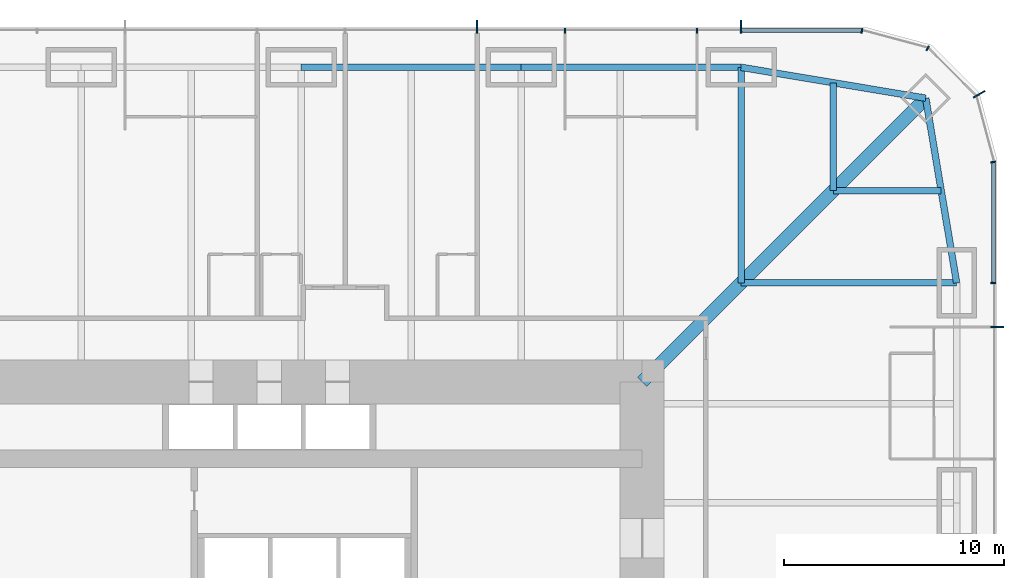
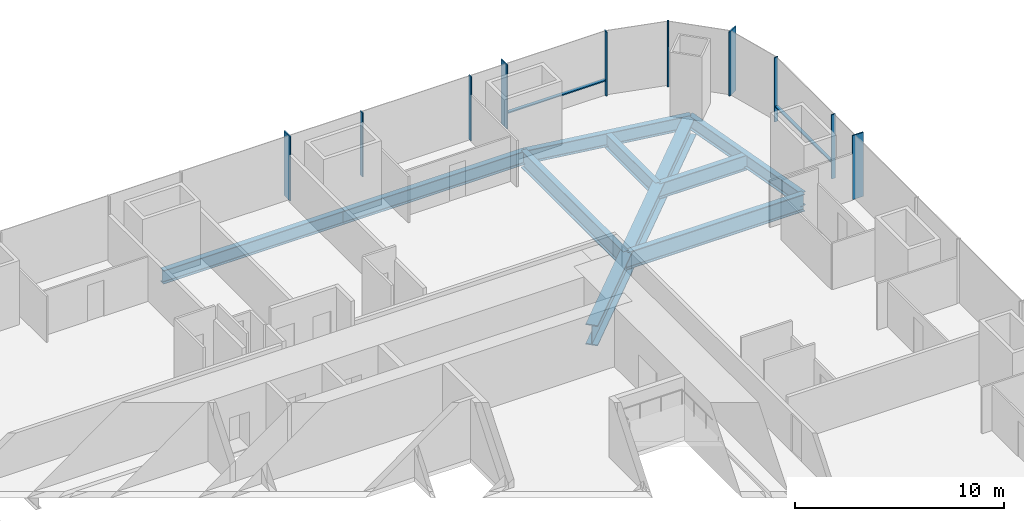
# One storey, part 9 of 17: 12 members, 9 beams, 3 elements without a shape of their own.
"""IFC4 building model written with IfcOpenShell, lengths in metres."""

from ifc_helpers import new_model, si_unit, direction, frame, origin, origin_2d, place, context, subcontext, project, spatial, rectangle, i_section, extrude, material, material_profile, profile_set, type_object, element, aggregate, save


model = new_model("IFC4")

# Units and contexts
model_context = context("Model", 3, precision=1e-05, world=origin(), true_north=direction((0.0, 1.0)))
body_context = subcontext(model_context, "Body", "Model", "MODEL_VIEW")
ifc_project = project(units=[si_unit("LENGTHUNIT", "METRE"), si_unit("AREAUNIT", "SQUARE_METRE"), si_unit("VOLUMEUNIT", "CUBIC_METRE"), si_unit("PLANEANGLEUNIT", "RADIAN"), si_unit("MASSUNIT", "GRAM", prefix="KILO")], contexts=[model_context])

# Site, building, storey
site_placement = place(None, origin())
site = spatial("IfcSite", under=ifc_project, at=site_placement, CompositionType="ELEMENT")
building_placement = place(site_placement, origin())
building = spatial("IfcBuilding", under=site, at=building_placement, Name="Khuree Lantern Residences", CompositionType="ELEMENT")
storey_placement = place(building_placement, frame((0.0, 0.0, 51.0)))
storey = spatial("IfcBuildingStorey", under=building, at=storey_placement, Name="L12", CompositionType="ELEMENT", Elevation=51.0)

# Beams
ifc_material_1 = material(Name="Steel S355", Category="steel")
ifc_material_profile_1 = material_profile(ifc_material_1, i_section(OverallWidth=0.300048828125, OverallDepth=0.889892578125, WebThickness=0.01611328125, FlangeThickness=0.030029296875, FilletRadius=0.030029296875, at=origin_2d()), Name="HE 900 A")
ifc_profile_set_1 = profile_set([ifc_material_profile_1], Name="Steel S355")
beam_type_1 = type_object("IfcBeamType", Name="B-13 SECONDARY BEAM HE 900 A", PredefinedType="BEAM", material=ifc_profile_set_1)
for number, where, z_axis, x_axis, name in (
    (1, (24.197021484375, 29.09716796875, -0.695068359375), (0.0, -1.0, 0.0), (1.0, 0.0, 0.0), "Secondary beam N5"),
    (2, (29.09716796875, 24.197021484375, -0.695068359375), (-1.0, 0.0, 0.0), (0.0, -1.0, 0.0), "Secondary beam E1"),
):
    element("IfcBeam", number, at=place(storey_placement, frame(where, z_axis=z_axis, x_axis=x_axis)), inside=storey, type_object=beam_type_1, Name=name, PredefinedType="BEAM", context=body_context, shape_type="SweptSolid", body=[
        extrude(i_section(OverallWidth=0.300048828125, OverallDepth=0.889892578125, WebThickness=0.01611328125, FlangeThickness=0.030029296875, FilletRadius=0.030029296875, at=origin_2d()), origin(), (0.0, 0.0, 1.0), 4.900146484375),
    ])
ifc_material_profile_2 = material_profile(ifc_material_1, i_section(OverallWidth=0.300048828125, OverallDepth=0.7900390625, WebThickness=0.014892578125, FlangeThickness=0.028076171875, FilletRadius=0.030029296875, at=origin_2d()), Name="HE 800 A")
ifc_profile_set_2 = profile_set([ifc_material_profile_2], Name="Steel S355")
beam_type_2 = type_object("IfcBeamType", Name="E-13 SPANDREL BEAM HE 800 A", PredefinedType="SPANDREL", material=ifc_profile_set_2)
for number, where, z_axis, x_axis, name in (
    (3, (0.0, 29.800048828125, -0.64501953125), (1.0, 0.0, 0.0), (0.0, 1.0, 0.0), "Spandrel beam N3"),
    (4, (10.0, 29.800048828125, -0.64501953125), (1.0, 0.0, 0.0), (0.0, 1.0, 0.0), "Spandrel beam N4"),
):
    element("IfcBeam", number, at=place(storey_placement, frame(where, z_axis=z_axis, x_axis=x_axis)), inside=storey, type_object=beam_type_2, Name=name, PredefinedType="SPANDREL", context=body_context, shape_type="SweptSolid", body=[
        extrude(i_section(OverallWidth=0.300048828125, OverallDepth=0.7900390625, WebThickness=0.014892578125, FlangeThickness=0.028076171875, FilletRadius=0.030029296875, at=origin_2d()), origin(), (0.0, 0.0, 1.0), 10.0),
    ])
for number, where, z_axis, x_axis, name in (
    (5, (20.0, 29.800048828125, -0.64501953125), (0.986260251158, -0.165199022349, 0.0), (0.165199022349, 0.986260251158, 0.0), "Spandrel beam N5"),
    (6, (28.39404296875, 28.39404296875, -0.64501953125), (0.165199022349, -0.986260251158, 0.0), (0.986260251158, 0.165199022349, 0.0), "Spandrel beam E1"),
):
    element("IfcBeam", number, at=place(storey_placement, frame(where, z_axis=z_axis, x_axis=x_axis)), inside=storey, type_object=beam_type_2, Name=name, PredefinedType="SPANDREL", context=body_context, shape_type="SweptSolid", body=[
        extrude(i_section(OverallWidth=0.300048828125, OverallDepth=0.7900390625, WebThickness=0.014892578125, FlangeThickness=0.028076171875, FilletRadius=0.030029296875, at=origin_2d()), origin(), (0.0, 0.0, 1.0), 8.510986328125),
    ])

# Curtain wall, member
ifc_material_2 = material(Name="Bronze anodised aluminium", Category="aluminium")
curtain_wall_type_1 = type_object("IfcCurtainWallType", Name="CW-T1 TOWER FACE CURTAIN WALL", PredefinedType="USERDEFINED", material=ifc_material_2)
curtain_wall_1_placement = place(storey_placement, origin())
curtain_wall_1 = element("IfcCurtainWall", 7, at=curtain_wall_1_placement, inside=storey, type_object=curtain_wall_type_1, Name="L12 EAST FACE CURTAIN WALL", ObjectType="Stick-built curtain wall", PredefinedType="USERDEFINED")
ifc_material_profile_3 = material_profile(ifc_material_2, rectangle(XDim=0.06494140625, YDim=0.60009765625, at=origin_2d()), Name="F1 65X600")
ifc_profile_set_3 = profile_set([ifc_material_profile_3], Name="Bronze anodised aluminium")
member_type_1 = type_object("IfcMemberType", Name="F1 BRONZE FIN MULLION TOWER 65X600", PredefinedType="MULLION", material=ifc_profile_set_3)
member_1_placement = place(storey_placement, frame((31.64990234375, 18.0, 0.0), z_axis=(0.0, 0.0, 1.0), x_axis=(0.0, 1.0, 0.0)))
member_1 = element("IfcMember", 8, at=member_1_placement, type_object=member_type_1, Name="L12 EAST FACE FIN MULLION 13", PredefinedType="MULLION", context=body_context, shape_type="SweptSolid", body=[
    extrude(rectangle(XDim=0.06494140625, YDim=0.60009765625, at=origin_2d()), origin(), (0.0, 0.0, 1.0), 3.75),
])

curtain_wall_type_2 = type_object("IfcCurtainWallType", Name="CW-T2 TOWER CORNER CURTAIN WALL", PredefinedType="USERDEFINED", material=ifc_material_2)
curtain_wall_2_placement = place(storey_placement, origin())
curtain_wall_2 = element("IfcCurtainWall", 9, at=curtain_wall_2_placement, inside=storey, type_object=curtain_wall_type_2, Name="L12 NORTH-EAST CORNER CURTAIN WALL", ObjectType="Faceted corner curtain wall", PredefinedType="USERDEFINED")
member_2_placement = place(storey_placement, frame((30.826171875, 28.574951171875, 0.0), z_axis=(0.0, 0.0, 1.0), x_axis=(-0.500000056923, 0.86602537092, 0.0)))
member_2 = element("IfcMember", 10, at=member_2_placement, type_object=member_type_1, Name="L12 NORTH-EAST CORNER FIN MULLION 16", PredefinedType="MULLION", context=body_context, shape_type="SweptSolid", body=[
    extrude(rectangle(XDim=0.06494140625, YDim=0.60009765625, at=origin_2d()), origin(), (0.0, 0.0, 1.0), 3.75),
])

# Curtain wall, members
curtain_wall_3_placement = place(storey_placement, origin())
curtain_wall_3 = element("IfcCurtainWall", 11, at=curtain_wall_3_placement, inside=storey, type_object=curtain_wall_type_1, Name="L12 NORTH FACE CURTAIN WALL", ObjectType="Stick-built curtain wall", PredefinedType="USERDEFINED")
member_3_placement = place(storey_placement, frame((20.0, 31.64990234375, 0.0), z_axis=(0.0, 0.0, 1.0), x_axis=(-1.0, 0.0, 0.0)))
member_3 = element("IfcMember", 12, at=member_3_placement, type_object=member_type_1, Name="L12 NORTH FACE FIN MULLION 19", PredefinedType="MULLION", context=body_context, shape_type="SweptSolid", body=[
    extrude(rectangle(XDim=0.06494140625, YDim=0.60009765625, at=origin_2d()), origin(), (0.0, 0.0, 1.0), 3.75),
])
member_4_placement = place(storey_placement, frame((8.0, 31.64990234375, 0.0), z_axis=(0.0, 0.0, 1.0), x_axis=(-1.0, 0.0, 0.0)))
member_4 = element("IfcMember", 13, at=member_4_placement, type_object=member_type_1, Name="L12 NORTH FACE FIN MULLION 22", PredefinedType="MULLION", context=body_context, shape_type="SweptSolid", body=[
    extrude(rectangle(XDim=0.06494140625, YDim=0.60009765625, at=origin_2d()), origin(), (0.0, 0.0, 1.0), 3.75),
])

# Beams
ifc_material_profile_4 = material_profile(ifc_material_1, i_section(OverallWidth=0.302001953125, OverallDepth=1.008056640625, WebThickness=0.02099609375, FlangeThickness=0.0400390625, FilletRadius=0.030029296875, at=origin_2d()), Name="HE 1000 M")
ifc_profile_set_4 = profile_set([ifc_material_profile_4], Name="Steel S355")
beam_type_3 = type_object("IfcBeamType", Name="G-13 GIRDER HE 1000 M", PredefinedType="BEAM", material=ifc_profile_set_4)
for number, where, z_axis, x_axis, name in (
    (14, (20.0, 29.800048828125, -0.75390625), (0.0, -1.0, 0.0), (1.0, 0.0, 0.0), "Girder N5"),
    (15, (29.800048828125, 20.0, -0.75390625), (-1.0, 0.0, 0.0), (0.0, -1.0, 0.0), "Girder E1"),
):
    element("IfcBeam", number, at=place(storey_placement, frame(where, z_axis=z_axis, x_axis=x_axis)), inside=storey, type_object=beam_type_3, Name=name, PredefinedType="BEAM", context=body_context, shape_type="SweptSolid", body=[
        extrude(i_section(OverallWidth=0.302001953125, OverallDepth=1.008056640625, WebThickness=0.02099609375, FlangeThickness=0.0400390625, FilletRadius=0.030029296875, at=origin_2d()), origin(), (0.0, 0.0, 1.0), 9.800048828125),
    ])
ifc_material_profile_5 = material_profile(ifc_material_1, i_section(OverallWidth=0.60009765625, OverallDepth=1.199951171875, WebThickness=0.030029296875, FlangeThickness=0.06005859375, at=origin_2d()), Name="WELDED I 1200X600X30X60")
ifc_profile_set_5 = profile_set([ifc_material_profile_5], Name="Steel S355")
beam_type_4 = type_object("IfcBeamType", Name="GD-13 CORNER GIRDER WELDED I 1200X600X30X60", PredefinedType="BEAM", material=ifc_profile_set_5)
beam_placement = place(storey_placement, frame((28.39404296875, 28.39404296875, -0.85009765625), z_axis=(-0.707106781187, -0.707106781187, 0.0), x_axis=(0.707106781187, -0.707106781187, 0.0)))
element("IfcBeam", 16, at=beam_placement, inside=storey, type_object=beam_type_4, Name="Corner girder NE", PredefinedType="BEAM", context=body_context, shape_type="SweptSolid", body=[
    extrude(i_section(OverallWidth=0.60009765625, OverallDepth=1.199951171875, WebThickness=0.030029296875, FlangeThickness=0.06005859375, at=origin_2d()), origin(), (0.0, 0.0, 1.0), 18.23486328125),
])

# Member
ifc_material_profile_6 = material_profile(ifc_material_2, rectangle(XDim=0.06494140625, YDim=0.219970703125, at=origin_2d()), Name="M1 65X220")
ifc_profile_set_6 = profile_set([ifc_material_profile_6], Name="Bronze anodised aluminium")
member_type_2 = type_object("IfcMemberType", Name="M1 BRONZE MULLION TOWER 65X220", PredefinedType="MULLION", material=ifc_profile_set_6)
member_5_placement = place(storey_placement, frame((31.4599609375, 20.0, 0.0), z_axis=(0.0, 0.0, 1.0), x_axis=(0.0, 1.0, 0.0)))
member_5 = element("IfcMember", 17, at=member_5_placement, type_object=member_type_2, Name="L12 EAST FACE MULLION 14", PredefinedType="MULLION", context=body_context, shape_type="SweptSolid", body=[
    extrude(rectangle(XDim=0.06494140625, YDim=0.219970703125, at=origin_2d()), origin(), (0.0, 0.0, 1.0), 3.75),
])

member_6_placement = place(storey_placement, frame((31.461669921875, 25.494873046875, 0.0), z_axis=(0.0, 0.0, 1.0), x_axis=(-0.130526257387, 0.991444852794, 0.0)))
member_6 = element("IfcMember", 18, at=member_6_placement, type_object=member_type_2, Name="L12 NORTH-EAST CORNER MULLION 15", PredefinedType="MULLION", context=body_context, shape_type="SweptSolid", body=[
    extrude(rectangle(XDim=0.06494140625, YDim=0.219970703125, at=origin_2d()), origin(), (0.0, 0.0, 1.0), 3.75),
])

member_7_placement = place(storey_placement, frame((28.47998046875, 30.66162109375, 0.0), z_axis=(0.0, 0.0, 1.0), x_axis=(-0.86602537092, 0.500000056923, 0.0)))
member_7 = element("IfcMember", 19, at=member_7_placement, type_object=member_type_2, Name="L12 NORTH-EAST CORNER MULLION 17", PredefinedType="MULLION", context=body_context, shape_type="SweptSolid", body=[
    extrude(rectangle(XDim=0.06494140625, YDim=0.219970703125, at=origin_2d()), origin(), (0.0, 0.0, 1.0), 3.75),
])

aggregate(curtain_wall_2, [member_6, member_2, member_7])

member_8_placement = place(storey_placement, frame((25.494873046875, 31.461669921875, 0.0), z_axis=(0.0, 0.0, 1.0), x_axis=(-0.991444852794, 0.130526257387, 0.0)))
member_8 = element("IfcMember", 20, at=member_8_placement, type_object=member_type_2, Name="L12 NORTH FACE MULLION 18", PredefinedType="MULLION", context=body_context, shape_type="SweptSolid", body=[
    extrude(rectangle(XDim=0.06494140625, YDim=0.219970703125, at=origin_2d()), origin(), (0.0, 0.0, 1.0), 3.75),
])

member_9_placement = place(storey_placement, frame((18.0, 31.4599609375, 0.0), z_axis=(0.0, 0.0, 1.0), x_axis=(-1.0, 0.0, 0.0)))
member_9 = element("IfcMember", 21, at=member_9_placement, type_object=member_type_2, Name="L12 NORTH FACE MULLION 20", PredefinedType="MULLION", context=body_context, shape_type="SweptSolid", body=[
    extrude(rectangle(XDim=0.06494140625, YDim=0.219970703125, at=origin_2d()), origin(), (0.0, 0.0, 1.0), 3.75),
])

member_10_placement = place(storey_placement, frame((12.0, 31.4599609375, 0.0), z_axis=(0.0, 0.0, 1.0), x_axis=(-1.0, 0.0, 0.0)))
member_10 = element("IfcMember", 22, at=member_10_placement, type_object=member_type_2, Name="L12 NORTH FACE MULLION 21", PredefinedType="MULLION", context=body_context, shape_type="SweptSolid", body=[
    extrude(rectangle(XDim=0.06494140625, YDim=0.219970703125, at=origin_2d()), origin(), (0.0, 0.0, 1.0), 3.75),
])

ifc_material_profile_7 = material_profile(ifc_material_2, rectangle(XDim=0.179931640625, YDim=0.06494140625, at=origin_2d()), Name="T1 180X65")
ifc_profile_set_7 = profile_set([ifc_material_profile_7], Name="Bronze anodised aluminium")
member_type_3 = type_object("IfcMemberType", Name="TRANSOM T1 TOWER 180X65", PredefinedType="USERDEFINED", material=ifc_profile_set_7)
member_11_placement = place(storey_placement, frame((31.469970703125, 20.032470703125, 0.89990234375), z_axis=(0.0, 1.0, 0.0), x_axis=(-1.0, 0.0, 0.0)))
member_11 = element("IfcMember", 23, at=member_11_placement, type_object=member_type_3, Name="L12 EAST FACE TRANSOM 14.1", ObjectType="Transom", PredefinedType="USERDEFINED", context=body_context, shape_type="SweptSolid", body=[
    extrude(rectangle(XDim=0.179931640625, YDim=0.06494140625, at=origin_2d()), origin(), (0.0, 0.0, 1.0), 5.4189453125),
])

aggregate(curtain_wall_1, [member_1, member_5, member_11])

member_12_placement = place(storey_placement, frame((25.451416015625, 31.469970703125, 0.89990234375), z_axis=(-1.0, 0.0, 0.0), x_axis=(0.0, -1.0, 0.0)))
member_12 = element("IfcMember", 24, at=member_12_placement, type_object=member_type_3, Name="L12 NORTH FACE TRANSOM 18.1", ObjectType="Transom", PredefinedType="USERDEFINED", context=body_context, shape_type="SweptSolid", body=[
    extrude(rectangle(XDim=0.179931640625, YDim=0.06494140625, at=origin_2d()), origin(), (0.0, 0.0, 1.0), 5.4189453125),
])

aggregate(curtain_wall_3, [member_8, member_3, member_9, member_10, member_4, member_12])

save(model, "model.ifc")
